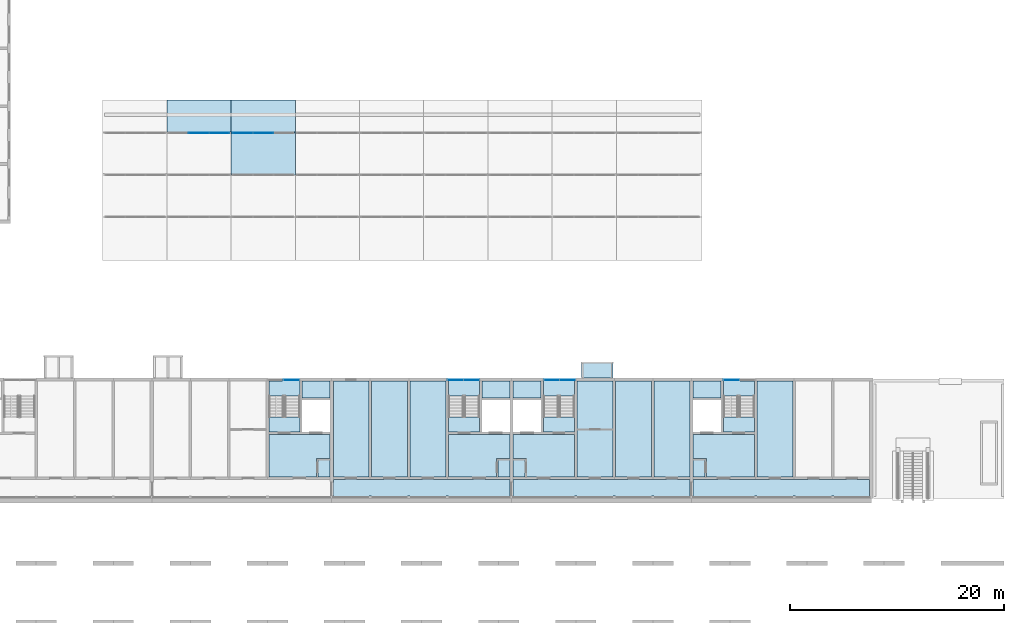
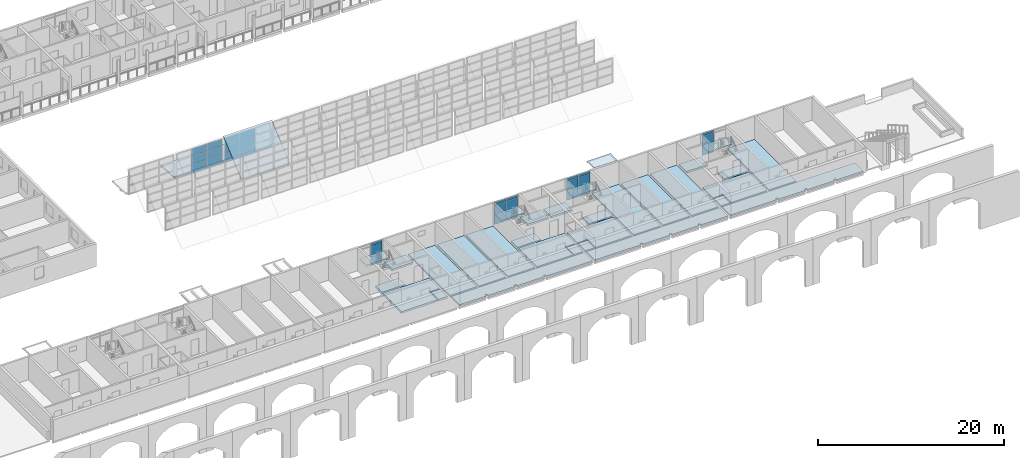
# One storey, part 47 of 122: 34 slabs, 24 plates, 10 elements without a shape of their own.
"""IFC4 building model written with IfcOpenShell, lengths in metres."""

from ifc_helpers import new_model, si_unit, direction, frame, origin, origin_2d, place, context, subcontext, project, spatial, polyline, rectangle, outline, extrude, material, layer, layer_set, type_object, element, aggregate, save


model = new_model("IFC4")

# Units and contexts
model_context = context("Model", 3, precision=1e-05, world=origin(), true_north=direction((0.0, 1.0)))
body_context = subcontext(model_context, "Body", "Model", "MODEL_VIEW")
ifc_project = project(units=[si_unit("LENGTHUNIT", "METRE"), si_unit("AREAUNIT", "SQUARE_METRE"), si_unit("VOLUMEUNIT", "CUBIC_METRE"), si_unit("PLANEANGLEUNIT", "RADIAN"), si_unit("MASSUNIT", "GRAM", prefix="KILO")], contexts=[model_context])

# Site, building, storey
site_placement = place(None, origin())
site = spatial("IfcSite", under=ifc_project, at=site_placement, CompositionType="ELEMENT")
building_placement = place(site_placement, origin())
building = spatial("IfcBuilding", under=site, at=building_placement, Name="Ridgestep Commons", CompositionType="ELEMENT")
storey_placement = place(building_placement, frame((0.0, 0.0, 3.0)))
storey = spatial("IfcBuildingStorey", under=building, at=storey_placement, Name="L01", CompositionType="ELEMENT", Elevation=3.0)

# Curtain wall, plates
ifc_material_1 = material(Name="Aluminium and glass", Category="aluminium")
ifc_layer_1 = layer(ifc_material_1, 0.14990234375)
ifc_layer_set_1 = layer_set([ifc_layer_1], Name="Shop clerestory curtain wall")
curtain_wall_type_1 = type_object("IfcCurtainWallType", Name="Shop clerestory curtain wall", PredefinedType="NOTDEFINED", material=ifc_layer_set_1)
curtain_wall_1_placement = place(storey_placement, origin())
curtain_wall_1 = element("IfcCurtainWall", 1, at=curtain_wall_1_placement, inside=storey, type_object=curtain_wall_type_1, Name="Shop clerestory curtain wall", PredefinedType="NOTDEFINED")
ifc_material_2 = material(Name="Glass", Category="glass")
ifc_layer_2 = layer(ifc_material_2, 0.011962890625)
ifc_layer_set_2 = layer_set([ifc_layer_2], Name="Community glass panel 12")
plate_type_1 = type_object("IfcPlateType", Name="Community glass panel 12", PredefinedType="CURTAIN_PANEL", material=ifc_layer_set_2)
plate_1_placement = place(storey_placement, frame((184.800048828125, 45.89990234375, 1.25), z_axis=(0.0, 0.0, 1.0), x_axis=(1.0, 0.0, 0.0)))
plate_1 = element("IfcPlate", 2, at=plate_1_placement, type_object=plate_type_1, Name="CW5 panel 2.1", PredefinedType="CURTAIN_PANEL", context=body_context, shape_type="SweptSolid", body=[
    extrude(rectangle(XDim=1.86669921875, YDim=0.011962890625, at=origin_2d()), origin(), (0.0, 0.0, 1.0), 1.125),
])
plate_2_placement = place(storey_placement, frame((184.800048828125, 45.89990234375, 2.4248046875), z_axis=(0.0, 0.0, 1.0), x_axis=(1.0, 0.0, 0.0)))
plate_2 = element("IfcPlate", 3, at=plate_2_placement, type_object=plate_type_1, Name="CW5 panel 2.2", PredefinedType="CURTAIN_PANEL", context=body_context, shape_type="SweptSolid", body=[
    extrude(rectangle(XDim=1.86669921875, YDim=0.011962890625, at=origin_2d()), origin(), (0.0, 0.0, 1.0), 1.050048828125),
])
plate_3_placement = place(storey_placement, frame((184.800048828125, 45.89990234375, 3.52490234375), z_axis=(0.0, 0.0, 1.0), x_axis=(1.0, 0.0, 0.0)))
plate_3 = element("IfcPlate", 4, at=plate_3_placement, type_object=plate_type_1, Name="CW5 panel 2.3", PredefinedType="CURTAIN_PANEL", context=body_context, shape_type="SweptSolid", body=[
    extrude(rectangle(XDim=1.86669921875, YDim=0.011962890625, at=origin_2d()), origin(), (0.0, 0.0, 1.0), 0.925048828125),
])
plate_4_placement = place(storey_placement, frame((186.7041015625, 45.89990234375, 1.25), z_axis=(0.0, 0.0, 1.0), x_axis=(1.0, 0.0, 0.0)))
plate_4 = element("IfcPlate", 5, at=plate_4_placement, type_object=plate_type_1, Name="CW5 panel 3.1", PredefinedType="CURTAIN_PANEL", context=body_context, shape_type="SweptSolid", body=[
    extrude(rectangle(XDim=1.841552734375, YDim=0.011962890625, at=origin_2d()), origin(), (0.0, 0.0, 1.0), 1.125),
])
plate_5_placement = place(storey_placement, frame((186.7041015625, 45.89990234375, 2.4248046875), z_axis=(0.0, 0.0, 1.0), x_axis=(1.0, 0.0, 0.0)))
plate_5 = element("IfcPlate", 6, at=plate_5_placement, type_object=plate_type_1, Name="CW5 panel 3.2", PredefinedType="CURTAIN_PANEL", context=body_context, shape_type="SweptSolid", body=[
    extrude(rectangle(XDim=1.841552734375, YDim=0.011962890625, at=origin_2d()), origin(), (0.0, 0.0, 1.0), 1.050048828125),
])
plate_6_placement = place(storey_placement, frame((186.7041015625, 45.89990234375, 3.52490234375), z_axis=(0.0, 0.0, 1.0), x_axis=(1.0, 0.0, 0.0)))
plate_6 = element("IfcPlate", 7, at=plate_6_placement, type_object=plate_type_1, Name="CW5 panel 3.3", PredefinedType="CURTAIN_PANEL", context=body_context, shape_type="SweptSolid", body=[
    extrude(rectangle(XDim=1.841552734375, YDim=0.011962890625, at=origin_2d()), origin(), (0.0, 0.0, 1.0), 0.925048828125),
])
aggregate(curtain_wall_1, [plate_1, plate_2, plate_3, plate_4, plate_5, plate_6])

curtain_wall_2_placement = place(storey_placement, origin())
curtain_wall_2 = element("IfcCurtainWall", 8, at=curtain_wall_2_placement, inside=storey, type_object=curtain_wall_type_1, Name="Shop clerestory curtain wall", PredefinedType="NOTDEFINED")
plate_7_placement = place(storey_placement, frame((188.895751953125, 45.89990234375, 1.25), z_axis=(0.0, 0.0, 1.0), x_axis=(1.0, 0.0, 0.0)))
plate_7 = element("IfcPlate", 9, at=plate_7_placement, type_object=plate_type_1, Name="CW5 panel 1.1", PredefinedType="CURTAIN_PANEL", context=body_context, shape_type="SweptSolid", body=[
    extrude(rectangle(XDim=1.841552734375, YDim=0.011962890625, at=origin_2d()), origin(), (0.0, 0.0, 1.0), 1.125),
])
plate_8_placement = place(storey_placement, frame((188.895751953125, 45.89990234375, 2.4248046875), z_axis=(0.0, 0.0, 1.0), x_axis=(1.0, 0.0, 0.0)))
plate_8 = element("IfcPlate", 10, at=plate_8_placement, type_object=plate_type_1, Name="CW5 panel 1.2", PredefinedType="CURTAIN_PANEL", context=body_context, shape_type="SweptSolid", body=[
    extrude(rectangle(XDim=1.841552734375, YDim=0.011962890625, at=origin_2d()), origin(), (0.0, 0.0, 1.0), 1.050048828125),
])
plate_9_placement = place(storey_placement, frame((188.895751953125, 45.89990234375, 3.52490234375), z_axis=(0.0, 0.0, 1.0), x_axis=(1.0, 0.0, 0.0)))
plate_9 = element("IfcPlate", 11, at=plate_9_placement, type_object=plate_type_1, Name="CW5 panel 1.3", PredefinedType="CURTAIN_PANEL", context=body_context, shape_type="SweptSolid", body=[
    extrude(rectangle(XDim=1.841552734375, YDim=0.011962890625, at=origin_2d()), origin(), (0.0, 0.0, 1.0), 0.925048828125),
])
plate_10_placement = place(storey_placement, frame((190.800048828125, 45.89990234375, 1.25), z_axis=(0.0, 0.0, 1.0), x_axis=(1.0, 0.0, 0.0)))
plate_10 = element("IfcPlate", 12, at=plate_10_placement, type_object=plate_type_1, Name="CW5 panel 2.1", PredefinedType="CURTAIN_PANEL", context=body_context, shape_type="SweptSolid", body=[
    extrude(rectangle(XDim=1.86669921875, YDim=0.011962890625, at=origin_2d()), origin(), (0.0, 0.0, 1.0), 1.125),
])
plate_11_placement = place(storey_placement, frame((190.800048828125, 45.89990234375, 2.4248046875), z_axis=(0.0, 0.0, 1.0), x_axis=(1.0, 0.0, 0.0)))
plate_11 = element("IfcPlate", 13, at=plate_11_placement, type_object=plate_type_1, Name="CW5 panel 2.2", PredefinedType="CURTAIN_PANEL", context=body_context, shape_type="SweptSolid", body=[
    extrude(rectangle(XDim=1.86669921875, YDim=0.011962890625, at=origin_2d()), origin(), (0.0, 0.0, 1.0), 1.050048828125),
])
plate_12_placement = place(storey_placement, frame((190.800048828125, 45.89990234375, 3.52490234375), z_axis=(0.0, 0.0, 1.0), x_axis=(1.0, 0.0, 0.0)))
plate_12 = element("IfcPlate", 14, at=plate_12_placement, type_object=plate_type_1, Name="CW5 panel 2.3", PredefinedType="CURTAIN_PANEL", context=body_context, shape_type="SweptSolid", body=[
    extrude(rectangle(XDim=1.86669921875, YDim=0.011962890625, at=origin_2d()), origin(), (0.0, 0.0, 1.0), 0.925048828125),
])
aggregate(curtain_wall_2, [plate_7, plate_8, plate_9, plate_10, plate_11, plate_12])

# Slabs
ifc_material_3 = material(Name="Precast concrete C40/50", Category="concrete")
ifc_layer_3 = layer(ifc_material_3, 0.199951171875)
ifc_layer_set_3 = layer_set([ifc_layer_3], Name="Gallery slab 200")
slab_type_1 = type_object("IfcSlabType", Name="Gallery slab 200", PredefinedType="FLOOR", material=ifc_layer_set_3)
slab_1_placement = place(storey_placement, frame((0.0, 0.0, -0.199951171875)))
element("IfcSlab", 15, at=slab_1_placement, inside=storey, type_object=slab_type_1, Name="Gallery slab D4 L01", PredefinedType="FLOOR", context=body_context, shape_type="SweptSolid", body=[
    extrude(outline(polyline([(213.85009765625, 13.550048828125), (197.35009765625, 13.550048828125), (197.35009765625, 11.75), (200.675048828125, 11.75), (200.675048828125, 12.0), (200.925048828125, 12.0), (200.925048828125, 11.75), (204.27490234375, 11.75), (204.27490234375, 12.0), (204.52490234375, 12.0), (204.52490234375, 11.75), (207.875, 11.75), (207.875, 12.0), (208.125, 12.0), (208.125, 11.75), (213.85009765625, 11.75), (213.85009765625, 13.550048828125)])), origin(), (0.0, 0.0, 1.0), 0.199951171875),
])
slab_2_placement = place(storey_placement, frame((0.0, 0.0, -0.199951171875)))
element("IfcSlab", 16, at=slab_2_placement, inside=storey, type_object=slab_type_1, Name="Gallery slab D5 L01", PredefinedType="FLOOR", context=body_context, shape_type="SweptSolid", body=[
    extrude(outline(polyline([(230.64990234375, 13.550048828125), (214.14990234375, 13.550048828125), (214.14990234375, 11.75), (219.875, 11.75), (219.875, 12.0), (220.125, 12.0), (220.125, 11.75), (223.47509765625, 11.75), (223.47509765625, 12.0), (223.72509765625, 12.0), (223.72509765625, 11.75), (227.074951171875, 11.75), (227.074951171875, 12.0), (227.324951171875, 12.0), (227.324951171875, 11.75), (230.64990234375, 11.75), (230.64990234375, 13.550048828125)])), origin(), (0.0, 0.0, 1.0), 0.199951171875),
])
slab_3_placement = place(storey_placement, frame((0.0, 0.0, -0.199951171875)))
element("IfcSlab", 17, at=slab_3_placement, inside=storey, type_object=slab_type_1, Name="Gallery slab D6 L01", PredefinedType="FLOOR", context=body_context, shape_type="SweptSolid", body=[
    extrude(outline(polyline([(247.449951171875, 13.550048828125), (230.949951171875, 13.550048828125), (230.949951171875, 11.75), (236.675048828125, 11.75), (236.675048828125, 12.0), (236.925048828125, 12.0), (236.925048828125, 11.75), (240.27490234375, 11.75), (240.27490234375, 12.0), (240.52490234375, 12.0), (240.52490234375, 11.75), (243.875, 11.75), (243.875, 12.0), (244.125, 12.0), (244.125, 11.75), (247.449951171875, 11.75), (247.449951171875, 13.550048828125)])), origin(), (0.0, 0.0, 1.0), 0.199951171875),
])

# Curtain wall, plate
ifc_material_4 = material(Name="Aluminium 6063-T6 and glass", Category="aluminium")
curtain_wall_type_2 = type_object("IfcCurtainWallType", Name="Curtain wall stair strip", PredefinedType="NOTDEFINED", material=ifc_material_4)
curtain_wall_3_placement = place(storey_placement, origin())
curtain_wall_3 = element("IfcCurtainWall", 18, at=curtain_wall_3_placement, inside=storey, type_object=curtain_wall_type_2, Name="Curtain wall D3C level 01", PredefinedType="NOTDEFINED")
ifc_material_5 = material(Name="Glass laminated 6/16/6 low-emissivity", Category="glass")
ifc_layer_4 = layer(ifc_material_5, 0.028076171875)
ifc_layer_set_4 = layer_set([ifc_layer_4], Name="Glazing panel 28")
plate_type_2 = type_object("IfcPlateType", Name="Glazing panel 28", PredefinedType="CURTAIN_PANEL", material=ifc_layer_set_4)
plate_13_placement = place(storey_placement, frame((193.453857421875, 22.830078125, 0.06005859375), z_axis=(0.0, 0.0, 1.0), x_axis=(1.0, 0.0, 0.0)))
plate_13 = element("IfcPlate", 19, at=plate_13_placement, type_object=plate_type_2, Name="CW1 panel 2.1", PredefinedType="CURTAIN_PANEL", context=body_context, shape_type="SweptSolid", body=[
    extrude(rectangle(XDim=1.422607421875, YDim=0.028076171875, at=origin_2d()), origin(), (0.0, 0.0, 1.0), 2.5),
])

# Curtain wall, plates
curtain_wall_4_placement = place(storey_placement, origin())
curtain_wall_4 = element("IfcCurtainWall", 20, at=curtain_wall_4_placement, inside=storey, type_object=curtain_wall_type_2, Name="Curtain wall D4C level 01", PredefinedType="NOTDEFINED")
plate_14_placement = place(storey_placement, frame((208.771240234375, 22.830078125, 0.06005859375), z_axis=(0.0, 0.0, 1.0), x_axis=(1.0, 0.0, 0.0)))
plate_14 = element("IfcPlate", 21, at=plate_14_placement, type_object=plate_type_2, Name="CW1 panel 1.1", PredefinedType="CURTAIN_PANEL", context=body_context, shape_type="SweptSolid", body=[
    extrude(rectangle(XDim=1.422607421875, YDim=0.028076171875, at=origin_2d()), origin(), (0.0, 0.0, 1.0), 2.5),
])
plate_15_placement = place(storey_placement, frame((210.253662109375, 22.830078125, 0.06005859375), z_axis=(0.0, 0.0, 1.0), x_axis=(1.0, 0.0, 0.0)))
plate_15 = element("IfcPlate", 22, at=plate_15_placement, type_object=plate_type_2, Name="CW1 panel 2.1", PredefinedType="CURTAIN_PANEL", context=body_context, shape_type="SweptSolid", body=[
    extrude(rectangle(XDim=1.422607421875, YDim=0.028076171875, at=origin_2d()), origin(), (0.0, 0.0, 1.0), 2.5),
])

curtain_wall_5_placement = place(storey_placement, origin())
curtain_wall_5 = element("IfcCurtainWall", 23, at=curtain_wall_5_placement, inside=storey, type_object=curtain_wall_type_2, Name="Curtain wall D5C level 01", PredefinedType="NOTDEFINED")
plate_16_placement = place(storey_placement, frame((217.746337890625, 22.830078125, 0.06005859375), z_axis=(0.0, 0.0, 1.0), x_axis=(1.0, 0.0, 0.0)))
plate_16 = element("IfcPlate", 24, at=plate_16_placement, type_object=plate_type_2, Name="CW1 panel 1.1", PredefinedType="CURTAIN_PANEL", context=body_context, shape_type="SweptSolid", body=[
    extrude(rectangle(XDim=1.422607421875, YDim=0.028076171875, at=origin_2d()), origin(), (0.0, 0.0, 1.0), 2.5),
])
plate_17_placement = place(storey_placement, frame((219.228759765625, 22.830078125, 0.06005859375), z_axis=(0.0, 0.0, 1.0), x_axis=(1.0, 0.0, 0.0)))
plate_17 = element("IfcPlate", 25, at=plate_17_placement, type_object=plate_type_2, Name="CW1 panel 2.1", PredefinedType="CURTAIN_PANEL", context=body_context, shape_type="SweptSolid", body=[
    extrude(rectangle(XDim=1.422607421875, YDim=0.028076171875, at=origin_2d()), origin(), (0.0, 0.0, 1.0), 2.5),
])

# Curtain wall, plate
curtain_wall_6_placement = place(storey_placement, origin())
curtain_wall_6 = element("IfcCurtainWall", 26, at=curtain_wall_6_placement, inside=storey, type_object=curtain_wall_type_2, Name="Curtain wall D6C level 01", PredefinedType="NOTDEFINED")
plate_18_placement = place(storey_placement, frame((234.546142578125, 22.830078125, 0.06005859375), z_axis=(0.0, 0.0, 1.0), x_axis=(1.0, 0.0, 0.0)))
plate_18 = element("IfcPlate", 27, at=plate_18_placement, type_object=plate_type_2, Name="CW1 panel 1.1", PredefinedType="CURTAIN_PANEL", context=body_context, shape_type="SweptSolid", body=[
    extrude(rectangle(XDim=1.422607421875, YDim=0.028076171875, at=origin_2d()), origin(), (0.0, 0.0, 1.0), 2.5),
])

# Slabs
ifc_material_6 = material(Name="Precast concrete C50/60", Category="concrete")
ifc_layer_5 = layer(ifc_material_6, 0.199951171875)
ifc_layer_set_5 = layer_set([ifc_layer_5], Name="Hollow-core plank 200")
slab_type_2 = type_object("IfcSlabType", Name="Hollow-core plank 200", PredefinedType="FLOOR", material=ifc_layer_set_5)
slab_4_placement = place(storey_placement, frame((0.0, 0.0, -0.199951171875)))
element("IfcSlab", 28, at=slab_4_placement, inside=storey, type_object=slab_type_2, Name="Floor plank D4T1 L01", PredefinedType="FLOOR", context=body_context, shape_type="SweptSolid", body=[
    extrude(outline(polyline([(200.675048828125, 13.75), (200.675048828125, 22.75), (197.35009765625, 22.75), (197.35009765625, 13.75), (200.675048828125, 13.75)])), origin(), (0.0, 0.0, 1.0), 0.199951171875),
])
slab_5_placement = place(storey_placement, frame((0.0, 0.0, -0.199951171875)))
element("IfcSlab", 29, at=slab_5_placement, inside=storey, type_object=slab_type_2, Name="Floor plank D4T2 L01", PredefinedType="FLOOR", context=body_context, shape_type="SweptSolid", body=[
    extrude(outline(polyline([(204.27490234375, 13.75), (204.27490234375, 22.75), (200.925048828125, 22.75), (200.925048828125, 13.75), (204.27490234375, 13.75)])), origin(), (0.0, 0.0, 1.0), 0.199951171875),
])
slab_6_placement = place(storey_placement, frame((0.0, 0.0, -0.199951171875)))
element("IfcSlab", 30, at=slab_6_placement, inside=storey, type_object=slab_type_2, Name="Floor plank D4T3 L01", PredefinedType="FLOOR", context=body_context, shape_type="SweptSolid", body=[
    extrude(outline(polyline([(207.875, 13.75), (207.875, 22.75), (204.52490234375, 22.75), (204.52490234375, 13.75), (207.875, 13.75)])), origin(), (0.0, 0.0, 1.0), 0.199951171875),
])
slab_7_placement = place(storey_placement, frame((0.0, 0.0, -0.199951171875)))
element("IfcSlab", 31, at=slab_7_placement, inside=storey, type_object=slab_type_2, Name="Floor plank D5T3 L01", PredefinedType="FLOOR", context=body_context, shape_type="SweptSolid", body=[
    extrude(outline(polyline([(223.47509765625, 13.75), (223.47509765625, 22.75), (220.125, 22.75), (220.125, 13.75), (223.47509765625, 13.75)])), origin(), (0.0, 0.0, 1.0), 0.199951171875),
])
slab_8_placement = place(storey_placement, frame((0.0, 0.0, -0.199951171875)))
element("IfcSlab", 32, at=slab_8_placement, inside=storey, type_object=slab_type_2, Name="Floor plank D5T2 L01", PredefinedType="FLOOR", context=body_context, shape_type="SweptSolid", body=[
    extrude(outline(polyline([(227.074951171875, 13.75), (227.074951171875, 22.75), (223.72509765625, 22.75), (223.72509765625, 13.75), (227.074951171875, 13.75)])), origin(), (0.0, 0.0, 1.0), 0.199951171875),
])
slab_9_placement = place(storey_placement, frame((0.0, 0.0, -0.199951171875)))
element("IfcSlab", 33, at=slab_9_placement, inside=storey, type_object=slab_type_2, Name="Floor plank D5T1 L01", PredefinedType="FLOOR", context=body_context, shape_type="SweptSolid", body=[
    extrude(outline(polyline([(230.64990234375, 13.75), (230.64990234375, 22.75), (227.324951171875, 22.75), (227.324951171875, 13.75), (230.64990234375, 13.75)])), origin(), (0.0, 0.0, 1.0), 0.199951171875),
])
slab_10_placement = place(storey_placement, frame((0.0, 0.0, -0.199951171875)))
element("IfcSlab", 34, at=slab_10_placement, inside=storey, type_object=slab_type_2, Name="Floor plank D6T3 L01", PredefinedType="FLOOR", context=body_context, shape_type="SweptSolid", body=[
    extrude(outline(polyline([(240.27490234375, 13.75), (240.27490234375, 22.75), (236.925048828125, 22.75), (236.925048828125, 13.75), (240.27490234375, 13.75)])), origin(), (0.0, 0.0, 1.0), 0.199951171875),
])
ifc_material_7 = material(Name="Precast concrete C50/60", Category="concrete")
ifc_layer_6 = layer(ifc_material_7, 0.25)
ifc_layer_set_6 = layer_set([ifc_layer_6], Name="Hollow-core plank 250")
slab_type_3 = type_object("IfcSlabType", Name="Hollow-core plank 250", PredefinedType="FLOOR", material=ifc_layer_set_6)
slab_11_placement = place(storey_placement, frame((0.0, 0.0, -0.25)))
element("IfcSlab", 35, at=slab_11_placement, inside=storey, type_object=slab_type_3, Name="Floor plank D3C L01", PredefinedType="FLOOR", context=body_context, shape_type="SweptSolid", body=[
    extrude(outline(polyline([(195.919921875, 15.469970703125), (197.050048828125, 15.469970703125), (197.050048828125, 17.75), (191.324951171875, 17.75), (191.324951171875, 13.75), (195.800048828125, 13.75), (195.800048828125, 15.469970703125), (195.919921875, 15.469970703125)])), origin(), (0.0, 0.0, 1.0), 0.25),
])
slab_12_placement = place(storey_placement, frame((0.0, 0.0, -0.25)))
element("IfcSlab", 36, at=slab_12_placement, inside=storey, type_object=slab_type_3, Name="Floor plank D3C L01", PredefinedType="FLOOR", context=body_context, shape_type="SweptSolid", body=[
    extrude(outline(polyline([(197.050048828125, 21.14990234375), (197.050048828125, 22.75), (194.425048828125, 22.75), (194.425048828125, 21.14990234375), (197.050048828125, 21.14990234375)])), origin(), (0.0, 0.0, 1.0), 0.25),
])
slab_13_placement = place(storey_placement, frame((0.0, 0.0, -0.25)))
element("IfcSlab", 37, at=slab_13_placement, inside=storey, type_object=slab_type_3, Name="Floor plank D3C L01", PredefinedType="FLOOR", context=body_context, shape_type="SweptSolid", body=[
    extrude(outline(polyline([(194.22509765625, 17.949951171875), (194.22509765625, 19.35009765625), (191.324951171875, 19.35009765625), (191.324951171875, 17.949951171875), (194.22509765625, 17.949951171875)])), origin(), (0.0, 0.0, 1.0), 0.25),
])
slab_14_placement = place(storey_placement, frame((0.0, 0.0, -0.25)))
element("IfcSlab", 38, at=slab_14_placement, inside=storey, type_object=slab_type_3, Name="Floor plank D3C L01", PredefinedType="FLOOR", context=body_context, shape_type="SweptSolid", body=[
    extrude(outline(polyline([(195.919921875, 13.75), (197.050048828125, 13.75), (197.050048828125, 15.35009765625), (195.919921875, 15.35009765625), (195.919921875, 13.75)])), origin(), (0.0, 0.0, 1.0), 0.25),
])
slab_15_placement = place(storey_placement, frame((0.0, 0.0, -0.25)))
element("IfcSlab", 39, at=slab_15_placement, inside=storey, type_object=slab_type_3, Name="Floor plank D4C L01", PredefinedType="FLOOR", context=body_context, shape_type="SweptSolid", body=[
    extrude(outline(polyline([(212.719970703125, 15.469970703125), (213.85009765625, 15.469970703125), (213.85009765625, 17.75), (208.125, 17.75), (208.125, 13.75), (212.60009765625, 13.75), (212.60009765625, 15.469970703125), (212.719970703125, 15.469970703125)])), origin(), (0.0, 0.0, 1.0), 0.25),
])
slab_16_placement = place(storey_placement, frame((0.0, 0.0, -0.25)))
element("IfcSlab", 40, at=slab_16_placement, inside=storey, type_object=slab_type_3, Name="Floor plank D4C L01", PredefinedType="FLOOR", context=body_context, shape_type="SweptSolid", body=[
    extrude(outline(polyline([(213.85009765625, 21.14990234375), (213.85009765625, 22.75), (211.22509765625, 22.75), (211.22509765625, 21.14990234375), (213.85009765625, 21.14990234375)])), origin(), (0.0, 0.0, 1.0), 0.25),
])
slab_17_placement = place(storey_placement, frame((0.0, 0.0, -0.25)))
element("IfcSlab", 41, at=slab_17_placement, inside=storey, type_object=slab_type_3, Name="Floor plank D4C L01", PredefinedType="FLOOR", context=body_context, shape_type="SweptSolid", body=[
    extrude(outline(polyline([(211.02490234375, 17.949951171875), (211.02490234375, 19.35009765625), (208.125, 19.35009765625), (208.125, 17.949951171875), (211.02490234375, 17.949951171875)])), origin(), (0.0, 0.0, 1.0), 0.25),
])
slab_18_placement = place(storey_placement, frame((0.0, 0.0, -0.25)))
element("IfcSlab", 42, at=slab_18_placement, inside=storey, type_object=slab_type_3, Name="Floor plank D4C L01", PredefinedType="FLOOR", context=body_context, shape_type="SweptSolid", body=[
    extrude(outline(polyline([(212.719970703125, 13.75), (213.85009765625, 13.75), (213.85009765625, 15.35009765625), (212.719970703125, 15.35009765625), (212.719970703125, 13.75)])), origin(), (0.0, 0.0, 1.0), 0.25),
])
slab_19_placement = place(storey_placement, frame((0.0, 0.0, -0.25)))
element("IfcSlab", 43, at=slab_19_placement, inside=storey, type_object=slab_type_3, Name="Floor plank D5C L01", PredefinedType="FLOOR", context=body_context, shape_type="SweptSolid", body=[
    extrude(outline(polyline([(215.39990234375, 13.75), (219.875, 13.75), (219.875, 17.75), (214.14990234375, 17.75), (214.14990234375, 15.469970703125), (215.280029296875, 15.469970703125), (215.39990234375, 15.469970703125), (215.39990234375, 13.75)])), origin(), (0.0, 0.0, 1.0), 0.25),
])
slab_20_placement = place(storey_placement, frame((0.0, 0.0, -0.25)))
element("IfcSlab", 44, at=slab_20_placement, inside=storey, type_object=slab_type_3, Name="Floor plank D5C L01", PredefinedType="FLOOR", context=body_context, shape_type="SweptSolid", body=[
    extrude(outline(polyline([(216.77490234375, 22.75), (214.14990234375, 22.75), (214.14990234375, 21.14990234375), (216.77490234375, 21.14990234375), (216.77490234375, 22.75)])), origin(), (0.0, 0.0, 1.0), 0.25),
])
slab_21_placement = place(storey_placement, frame((0.0, 0.0, -0.25)))
element("IfcSlab", 45, at=slab_21_placement, inside=storey, type_object=slab_type_3, Name="Floor plank D5C L01", PredefinedType="FLOOR", context=body_context, shape_type="SweptSolid", body=[
    extrude(outline(polyline([(219.875, 17.949951171875), (219.875, 19.35009765625), (216.97509765625, 19.35009765625), (216.97509765625, 17.949951171875), (219.875, 17.949951171875)])), origin(), (0.0, 0.0, 1.0), 0.25),
])
slab_22_placement = place(storey_placement, frame((0.0, 0.0, -0.25)))
element("IfcSlab", 46, at=slab_22_placement, inside=storey, type_object=slab_type_3, Name="Floor plank D5C L01", PredefinedType="FLOOR", context=body_context, shape_type="SweptSolid", body=[
    extrude(outline(polyline([(215.280029296875, 15.35009765625), (214.14990234375, 15.35009765625), (214.14990234375, 13.75), (215.280029296875, 13.75), (215.280029296875, 15.35009765625)])), origin(), (0.0, 0.0, 1.0), 0.25),
])
slab_23_placement = place(storey_placement, frame((0.0, 0.0, -0.25)))
element("IfcSlab", 47, at=slab_23_placement, inside=storey, type_object=slab_type_3, Name="Floor plank D6C L01", PredefinedType="FLOOR", context=body_context, shape_type="SweptSolid", body=[
    extrude(outline(polyline([(232.199951171875, 13.75), (236.675048828125, 13.75), (236.675048828125, 17.75), (230.949951171875, 17.75), (230.949951171875, 15.469970703125), (232.080078125, 15.469970703125), (232.199951171875, 15.469970703125), (232.199951171875, 13.75)])), origin(), (0.0, 0.0, 1.0), 0.25),
])
slab_24_placement = place(storey_placement, frame((0.0, 0.0, -0.25)))
element("IfcSlab", 48, at=slab_24_placement, inside=storey, type_object=slab_type_3, Name="Floor plank D6C L01", PredefinedType="FLOOR", context=body_context, shape_type="SweptSolid", body=[
    extrude(outline(polyline([(233.574951171875, 22.75), (230.949951171875, 22.75), (230.949951171875, 21.14990234375), (233.574951171875, 21.14990234375), (233.574951171875, 22.75)])), origin(), (0.0, 0.0, 1.0), 0.25),
])
slab_25_placement = place(storey_placement, frame((0.0, 0.0, -0.25)))
element("IfcSlab", 49, at=slab_25_placement, inside=storey, type_object=slab_type_3, Name="Floor plank D6C L01", PredefinedType="FLOOR", context=body_context, shape_type="SweptSolid", body=[
    extrude(outline(polyline([(236.675048828125, 17.949951171875), (236.675048828125, 19.35009765625), (233.77490234375, 19.35009765625), (233.77490234375, 17.949951171875), (236.675048828125, 17.949951171875)])), origin(), (0.0, 0.0, 1.0), 0.25),
])
slab_26_placement = place(storey_placement, frame((0.0, 0.0, -0.25)))
element("IfcSlab", 50, at=slab_26_placement, inside=storey, type_object=slab_type_3, Name="Floor plank D6C L01", PredefinedType="FLOOR", context=body_context, shape_type="SweptSolid", body=[
    extrude(outline(polyline([(232.080078125, 15.35009765625), (230.949951171875, 15.35009765625), (230.949951171875, 13.75), (232.080078125, 13.75), (232.080078125, 15.35009765625)])), origin(), (0.0, 0.0, 1.0), 0.25),
])
ifc_material_8 = material(Name="Precast concrete C50/60", Category="concrete")
ifc_layer_7 = layer(ifc_material_8, 0.199951171875)
ifc_layer_set_7 = layer_set([ifc_layer_7], Name="Shop roof plank 200")
slab_type_4 = type_object("IfcSlabType", Name="Shop roof plank 200", PredefinedType="ROOF", material=ifc_layer_set_7)
for number, where, z_axis, x_axis, name in (
    (51, (181.800048828125, 46.0, 1.400390625), (0.0, 0.059869626719, 0.998206205048), (1.0, 0.0, 0.0), "Shop arcade roof plank"),
    (52, (187.800048828125, 46.0, 1.400390625), (0.0, 0.059869626719, 0.998206205048), (1.0, 0.0, 0.0), "Shop arcade roof plank"),
):
    element("IfcSlab", number, at=place(storey_placement, frame(where, z_axis=z_axis, x_axis=x_axis)), inside=storey, type_object=slab_type_4, Name=name, PredefinedType="ROOF", context=body_context, shape_type="SweptSolid", body=[
        extrude(outline(polyline([(0.0, 0.0), (6.0, 0.0), (6.0, 3.0053910553034533), (0.0, 3.0053910553034533), (0.0, 0.0)])), origin(), (0.0, 0.0, -1.0), 0.199951171875),
    ])
ifc_material_9 = material(Name="Precast concrete C50/60", Category="concrete")
ifc_layer_8 = layer(ifc_material_9, 0.199951171875)
ifc_layer_set_8 = layer_set([ifc_layer_8], Name="Shop sawtooth plank 200")
slab_type_5 = type_object("IfcSlabType", Name="Shop sawtooth plank 200", PredefinedType="ROOF", material=ifc_layer_set_8)
slab_27_placement = place(storey_placement, frame((187.800048828125, 41.97509765625, 1.461181640625), z_axis=(0.0, -0.643559368289, 0.765396197722), x_axis=(1.0, 0.0, 0.0)))
element("IfcSlab", 53, at=slab_27_placement, inside=storey, type_object=slab_type_5, Name="Shop sawtooth roof plank", PredefinedType="ROOF", context=body_context, shape_type="SweptSolid", body=[
    extrude(outline(polyline([(0.0, 0.0), (6.0, 0.0), (6.0, 5.127807923765394), (0.0, 5.127807923765394), (0.0, 0.0)])), origin(), (0.0, 0.0, -1.0), 0.199951171875),
])

# Plate
ifc_material_10 = material(Name="Aluminium 6063-T6 and mineral wool", Category="aluminium")
ifc_layer_9 = layer(ifc_material_10, 0.0400390625)
ifc_layer_set_9 = layer_set([ifc_layer_9], Name="Spandrel panel 40")
plate_type_3 = type_object("IfcPlateType", Name="Spandrel panel 40", PredefinedType="CURTAIN_PANEL", material=ifc_layer_set_9)
plate_19_placement = place(storey_placement, frame((193.453857421875, 22.830078125, 2.6201171875), z_axis=(0.0, 0.0, 1.0), x_axis=(1.0, 0.0, 0.0)))
plate_19 = element("IfcPlate", 54, at=plate_19_placement, type_object=plate_type_3, Name="CW1 panel 2.2", PredefinedType="CURTAIN_PANEL", context=body_context, shape_type="SweptSolid", body=[
    extrude(rectangle(XDim=1.422607421875, YDim=0.0400390625, at=origin_2d()), origin(), (0.0, 0.0, 1.0), 0.320068359375),
])

aggregate(curtain_wall_3, [plate_13, plate_19])

plate_20_placement = place(storey_placement, frame((208.771240234375, 22.830078125, 2.6201171875), z_axis=(0.0, 0.0, 1.0), x_axis=(1.0, 0.0, 0.0)))
plate_20 = element("IfcPlate", 55, at=plate_20_placement, type_object=plate_type_3, Name="CW1 panel 1.2", PredefinedType="CURTAIN_PANEL", context=body_context, shape_type="SweptSolid", body=[
    extrude(rectangle(XDim=1.422607421875, YDim=0.0400390625, at=origin_2d()), origin(), (0.0, 0.0, 1.0), 0.320068359375),
])

plate_21_placement = place(storey_placement, frame((210.253662109375, 22.830078125, 2.6201171875), z_axis=(0.0, 0.0, 1.0), x_axis=(1.0, 0.0, 0.0)))
plate_21 = element("IfcPlate", 56, at=plate_21_placement, type_object=plate_type_3, Name="CW1 panel 2.2", PredefinedType="CURTAIN_PANEL", context=body_context, shape_type="SweptSolid", body=[
    extrude(rectangle(XDim=1.422607421875, YDim=0.0400390625, at=origin_2d()), origin(), (0.0, 0.0, 1.0), 0.320068359375),
])

aggregate(curtain_wall_4, [plate_14, plate_20, plate_15, plate_21])

plate_22_placement = place(storey_placement, frame((217.746337890625, 22.830078125, 2.6201171875), z_axis=(0.0, 0.0, 1.0), x_axis=(1.0, 0.0, 0.0)))
plate_22 = element("IfcPlate", 57, at=plate_22_placement, type_object=plate_type_3, Name="CW1 panel 1.2", PredefinedType="CURTAIN_PANEL", context=body_context, shape_type="SweptSolid", body=[
    extrude(rectangle(XDim=1.422607421875, YDim=0.0400390625, at=origin_2d()), origin(), (0.0, 0.0, 1.0), 0.320068359375),
])

plate_23_placement = place(storey_placement, frame((219.228759765625, 22.830078125, 2.6201171875), z_axis=(0.0, 0.0, 1.0), x_axis=(1.0, 0.0, 0.0)))
plate_23 = element("IfcPlate", 58, at=plate_23_placement, type_object=plate_type_3, Name="CW1 panel 2.2", PredefinedType="CURTAIN_PANEL", context=body_context, shape_type="SweptSolid", body=[
    extrude(rectangle(XDim=1.422607421875, YDim=0.0400390625, at=origin_2d()), origin(), (0.0, 0.0, 1.0), 0.320068359375),
])

aggregate(curtain_wall_5, [plate_16, plate_22, plate_17, plate_23])

plate_24_placement = place(storey_placement, frame((234.546142578125, 22.830078125, 2.6201171875), z_axis=(0.0, 0.0, 1.0), x_axis=(1.0, 0.0, 0.0)))
plate_24 = element("IfcPlate", 59, at=plate_24_placement, type_object=plate_type_3, Name="CW1 panel 1.2", PredefinedType="CURTAIN_PANEL", context=body_context, shape_type="SweptSolid", body=[
    extrude(rectangle(XDim=1.422607421875, YDim=0.0400390625, at=origin_2d()), origin(), (0.0, 0.0, 1.0), 0.320068359375),
])

aggregate(curtain_wall_6, [plate_18, plate_24])

# Stair, slab
ifc_material_11 = material(Name="Precast concrete C40/50", Category="concrete")
stair_type = type_object("IfcStairType", Name="Escape stair 1400", PredefinedType="HALF_TURN_STAIR", material=ifc_material_11)
stair_1_placement = place(storey_placement, origin())
stair_1 = element("IfcStair", 60, at=stair_1_placement, inside=storey, type_object=stair_type, Name="L01 Escape stair D3C", PredefinedType="HALF_TURN_STAIR")
ifc_material_12 = material(Name="Precast concrete C40/50", Category="concrete")
ifc_layer_10 = layer(ifc_material_12, 0.199951171875)
ifc_layer_set_10 = layer_set([ifc_layer_10], Name="Stair landing 200")
slab_type_6 = type_object("IfcSlabType", Name="Stair landing 200", PredefinedType="LANDING", material=ifc_layer_set_10)
slab_28_placement = place(storey_placement, frame((0.0, 0.0, 1.300048828125)))
slab_28 = element("IfcSlab", 61, at=slab_28_placement, type_object=slab_type_6, Name="D3C landing 1", PredefinedType="LANDING", context=body_context, shape_type="SweptSolid", body=[
    extrude(outline(polyline([(194.22509765625, 21.31005859375), (194.22509765625, 22.75), (191.324951171875, 22.75), (191.324951171875, 21.31005859375), (194.22509765625, 21.31005859375)])), origin(), (0.0, 0.0, 1.0), 0.199951171875),
])
aggregate(stair_1, [slab_28])

stair_2_placement = place(storey_placement, origin())
stair_2 = element("IfcStair", 62, at=stair_2_placement, inside=storey, type_object=stair_type, Name="L01 Escape stair D4C", PredefinedType="HALF_TURN_STAIR")
slab_29_placement = place(storey_placement, frame((0.0, 0.0, 1.300048828125)))
slab_29 = element("IfcSlab", 63, at=slab_29_placement, type_object=slab_type_6, Name="D4C landing 1", PredefinedType="LANDING", context=body_context, shape_type="SweptSolid", body=[
    extrude(outline(polyline([(211.02490234375, 21.31005859375), (211.02490234375, 22.75), (208.125, 22.75), (208.125, 21.31005859375), (211.02490234375, 21.31005859375)])), origin(), (0.0, 0.0, 1.0), 0.199951171875),
])
aggregate(stair_2, [slab_29])

stair_3_placement = place(storey_placement, origin())
stair_3 = element("IfcStair", 64, at=stair_3_placement, inside=storey, type_object=stair_type, Name="L01 Escape stair D5C", PredefinedType="HALF_TURN_STAIR")
slab_30_placement = place(storey_placement, frame((0.0, 0.0, 1.300048828125)))
slab_30 = element("IfcSlab", 65, at=slab_30_placement, type_object=slab_type_6, Name="D5C landing 1", PredefinedType="LANDING", context=body_context, shape_type="SweptSolid", body=[
    extrude(outline(polyline([(219.875, 21.31005859375), (219.875, 22.75), (216.97509765625, 22.75), (216.97509765625, 21.31005859375), (219.875, 21.31005859375)])), origin(), (0.0, 0.0, 1.0), 0.199951171875),
])
aggregate(stair_3, [slab_30])

stair_4_placement = place(storey_placement, origin())
stair_4 = element("IfcStair", 66, at=stair_4_placement, inside=storey, type_object=stair_type, Name="L01 Escape stair D6C", PredefinedType="HALF_TURN_STAIR")
slab_31_placement = place(storey_placement, frame((0.0, 0.0, 1.300048828125)))
slab_31 = element("IfcSlab", 67, at=slab_31_placement, type_object=slab_type_6, Name="D6C landing 1", PredefinedType="LANDING", context=body_context, shape_type="SweptSolid", body=[
    extrude(outline(polyline([(236.675048828125, 21.31005859375), (236.675048828125, 22.75), (233.77490234375, 22.75), (233.77490234375, 21.31005859375), (236.675048828125, 21.31005859375)])), origin(), (0.0, 0.0, 1.0), 0.199951171875),
])
aggregate(stair_4, [slab_31])

# Slab
ifc_material_13 = material(Name="Weathering steel S355J2W", Category="steel")
ifc_layer_11 = layer(ifc_material_13, 0.010009765625)
ifc_layer_set_11 = layer_set([ifc_layer_11], Name="Tray 3.0 x 1.5")
slab_type_7 = type_object("IfcSlabType", Name="Tray 3.0 x 1.5", PredefinedType="FLOOR", material=ifc_layer_set_11)
slab_32_placement = place(storey_placement, frame((0.0, 0.0, 2.989990234375)))
element("IfcSlab", 68, at=slab_32_placement, inside=storey, type_object=slab_type_7, Name="Tray deck D5T3-02", PredefinedType="FLOOR", context=body_context, shape_type="SweptSolid", body=[
    extrude(outline(polyline([(220.530029296875, 23.0), (223.469970703125, 23.0), (223.469970703125, 24.5), (220.530029296875, 24.5), (220.530029296875, 23.0)])), origin(), (0.0, 0.0, 1.0), 0.010009765625),
])

save(model, "model.ifc")
